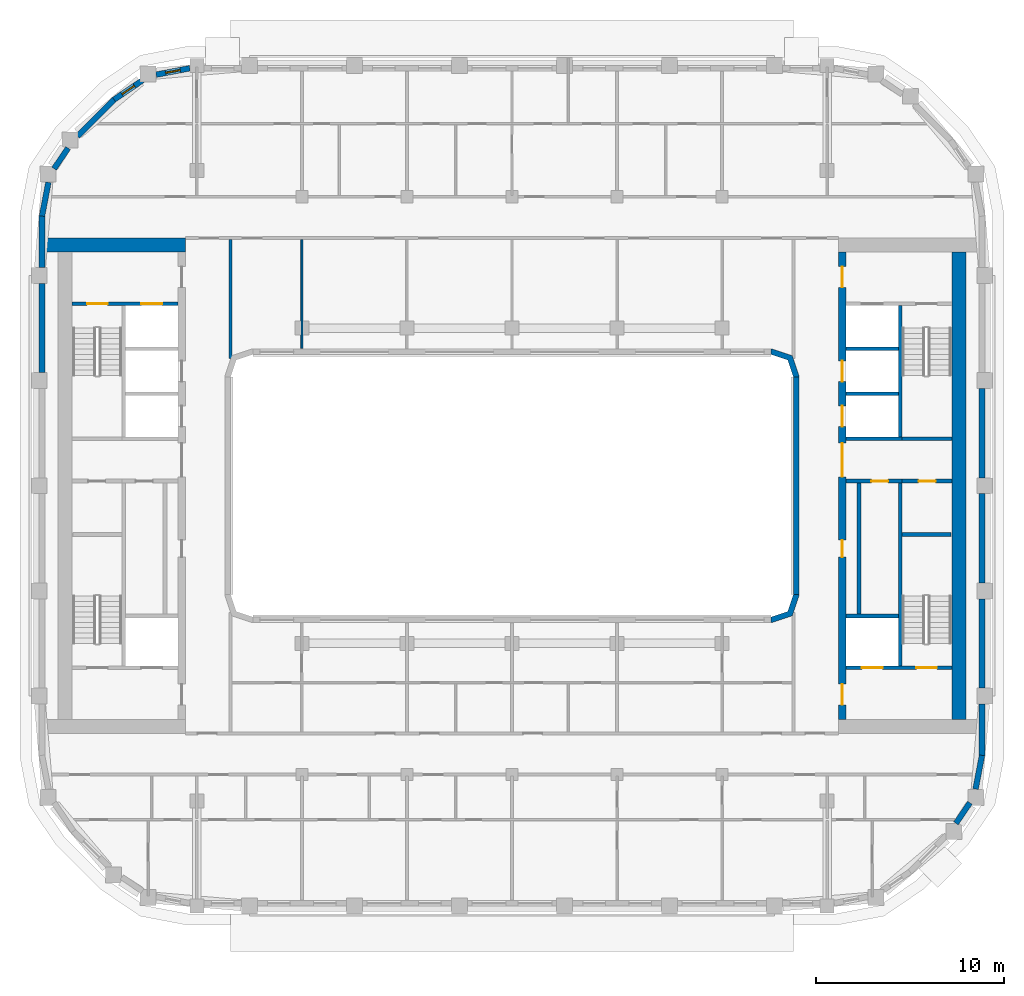
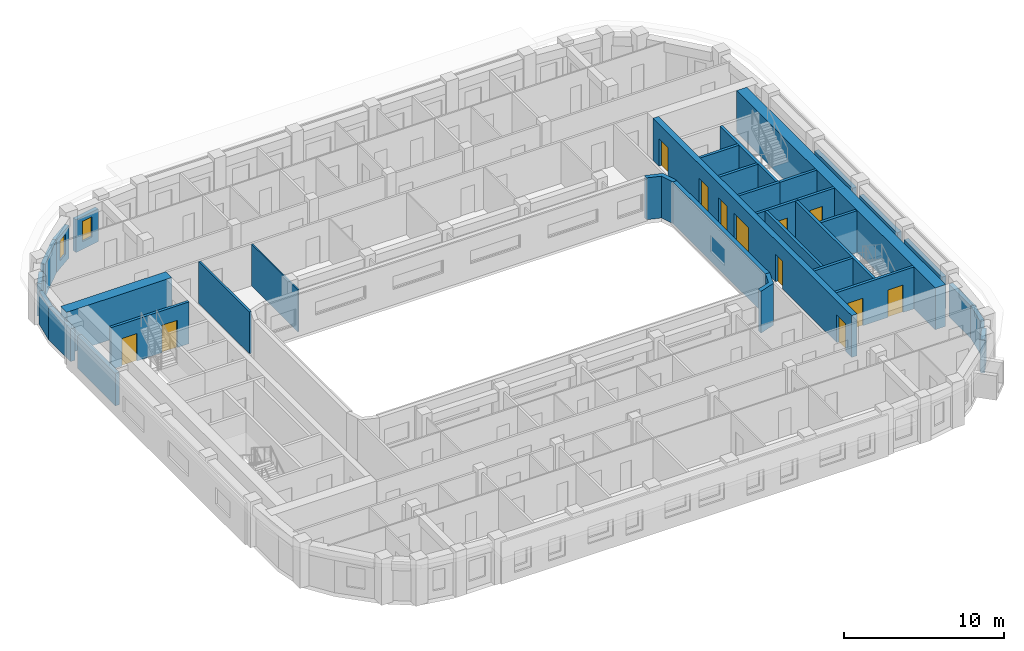
# One storey, part 6 of 21: 34 walls, 12 doors, 2 windows, 14 openings.
"""IFC4 building model written with IfcOpenShell, lengths in metres."""

from ifc_helpers import new_model, si_unit, direction, frame, frame_2d, origin, place, context, subcontext, project, spatial, polyline, rectangle, outline, extrude, material, layer, layer_set, type_object, element, fill, save


model = new_model("IFC4")

# Units and contexts
model_context = context("Model", 3, precision=1e-05, world=origin(), true_north=direction((0.0, 1.0)))
body_context = subcontext(model_context, "Body", "Model", "MODEL_VIEW")
ifc_project = project(units=[si_unit("LENGTHUNIT", "METRE"), si_unit("AREAUNIT", "SQUARE_METRE"), si_unit("VOLUMEUNIT", "CUBIC_METRE"), si_unit("PLANEANGLEUNIT", "RADIAN"), si_unit("MASSUNIT", "GRAM", prefix="KILO")], contexts=[model_context])

# Site, building, storey
site_placement = place(None, origin())
site = spatial("IfcSite", under=ifc_project, at=site_placement, CompositionType="ELEMENT")
building_placement = place(site_placement, origin())
building = spatial("IfcBuilding", under=site, at=building_placement, Name="Kiln Ring Residences", CompositionType="ELEMENT")
storey_placement = place(building_placement, frame((0.0, 0.0, 223.89990234375)))
storey = spatial("IfcBuildingStorey", under=building, at=storey_placement, Name="L58", CompositionType="ELEMENT", Elevation=223.89990234375)

# Wall, opening, door
ifc_material_1 = material(Name="Gypsum board on steel studs", Category="steel")
ifc_layer_1 = layer(ifc_material_1, 0.199951171875)
ifc_layer_set_1 = layer_set([ifc_layer_1], Name="CORE-PARTITION-200")
wall_type_1 = type_object("IfcWallType", Name="CORE-PARTITION-200", PredefinedType="PARTITIONING", material=ifc_layer_set_1)
wall_1_placement = place(storey_placement, frame((20.800048828125, 0.25, 0.0), z_axis=(0.0, 0.0, 1.0), x_axis=(1.0, 0.0, 0.0)))
wall_1 = element("IfcWall", 1, at=wall_1_placement, inside=storey, type_object=wall_type_1, Name="Core partition east L58 1", PredefinedType="PARTITIONING", context=body_context, shape_type="SweptSolid", body=[
    extrude(rectangle(XDim=2.64990234375, YDim=0.199951171875, at=frame_2d((1.324951171875, 0.0))), origin(), (0.0, 0.0, 1.0), 3.2001953125),
])
opening_1_placement = place(wall_1_placement, frame((0.875, 0.0, 0.0)))
opening_1 = element("IfcOpeningElement", 2, at=opening_1_placement, cuts=wall_1, Name="Opening L58-CE12", PredefinedType="OPENING", context=body_context, shape_type="SweptSolid", body=[
    extrude(rectangle(XDim=0.89990234375, YDim=2.10009765625, at=frame_2d((0.449951171875, 1.050048828125))), frame((0.0, 0.10986328125, 0.0), z_axis=(0.0, -1.0, 0.0), x_axis=(1.0, 0.0, 0.0)), (0.0, 0.0, 1.0), 0.219970703125),
])
ifc_material_2 = material(Name="Steel door leaf", Category="steel")
door_type_1 = type_object("IfcDoorType", Name="CORE-DOOR-ROOM", OperationType="SINGLE_SWING_LEFT", PredefinedType="DOOR", material=ifc_material_2)
door_1_placement = place(opening_1_placement, origin())
door_1 = element("IfcDoor", 3, at=door_1_placement, inside=storey, type_object=door_type_1, Name="Housekeeping store L58-CE12", OperationType="SINGLE_SWING_LEFT", OverallHeight=2.10009765625, OverallWidth=0.89990234375, PredefinedType="DOOR", context=body_context, shape_type="SweptSolid", body=[
    extrude(rectangle(XDim=0.89990234375, YDim=2.10009765625, at=frame_2d((0.449951171875, 1.050048828125))), frame((0.0, 0.02490234375, 0.0), z_axis=(0.0, -1.0, 0.0), x_axis=(1.0, 0.0, 0.0)), (0.0, 0.0, 1.0), 0.050048828125),
])
fill(opening_1, door_1)

# Walls
wall_2_placement = place(storey_placement, frame((18.5, -6.85009765625, 0.0), z_axis=(0.0, 0.0, 1.0), x_axis=(0.0, 1.0, 0.0)))
element("IfcWall", 4, at=wall_2_placement, inside=storey, type_object=wall_type_1, Name="Core partition east L58 2", PredefinedType="PARTITIONING", context=body_context, shape_type="SweptSolid", body=[
    extrude(rectangle(XDim=7.0, YDim=0.199951171875, at=frame_2d((3.5, 0.0))), origin(), (0.0, 0.0, 1.0), 3.2001953125),
])
ifc_material_3 = material(Name="Gypsum shaft wall system")
ifc_layer_2 = layer(ifc_material_3, 0.199951171875)
ifc_layer_set_2 = layer_set([ifc_layer_2], Name="CORE-SHAFT-WALL-200")
wall_type_2 = type_object("IfcWallType", Name="CORE-SHAFT-WALL-200", PredefinedType="PARTITIONING", material=ifc_layer_set_2)
wall_3_placement = place(storey_placement, frame((17.800048828125, -6.949951171875, 0.0), z_axis=(0.0, 0.0, 1.0), x_axis=(1.0, 0.0, 0.0)))
element("IfcWall", 5, at=wall_3_placement, inside=storey, type_object=wall_type_2, Name="Core partition east L58 3", PredefinedType="PARTITIONING", context=body_context, shape_type="SweptSolid", body=[
    extrude(rectangle(XDim=2.800048828125, YDim=0.199951171875, at=frame_2d((1.39990234375, 0.0))), origin(), (0.0, 0.0, 1.0), 3.2001953125),
])

# Wall, opening, door
wall_4_placement = place(storey_placement, frame((17.800048828125, 0.25, 0.0), z_axis=(0.0, 0.0, 1.0), x_axis=(1.0, 0.0, 0.0)))
wall_4 = element("IfcWall", 6, at=wall_4_placement, inside=storey, type_object=wall_type_2, Name="Core partition east L58 4", PredefinedType="PARTITIONING", context=body_context, shape_type="SweptSolid", body=[
    extrude(rectangle(XDim=3.0, YDim=0.199951171875, at=frame_2d((1.5, 0.0))), origin(), (0.0, 0.0, 1.0), 3.2001953125),
])
opening_2_placement = place(wall_4_placement, frame((1.35009765625, 0.0, 0.0)))
opening_2 = element("IfcOpeningElement", 7, at=opening_2_placement, cuts=wall_4, Name="Opening L58-CE03", PredefinedType="OPENING", context=body_context, shape_type="SweptSolid", body=[
    extrude(rectangle(XDim=0.89990234375, YDim=2.10009765625, at=frame_2d((0.449951171875, 1.050048828125))), frame((0.0, 0.10986328125, 0.0), z_axis=(0.0, -1.0, 0.0), x_axis=(1.0, 0.0, 0.0)), (0.0, 0.0, 1.0), 0.219970703125),
])
door_2_placement = place(opening_2_placement, origin())
door_2 = element("IfcDoor", 8, at=door_2_placement, inside=storey, type_object=door_type_1, Name="Goods store L58-CE03", OperationType="SINGLE_SWING_RIGHT", OverallHeight=2.10009765625, OverallWidth=0.89990234375, PredefinedType="DOOR", context=body_context, shape_type="SweptSolid", body=[
    extrude(rectangle(XDim=0.89990234375, YDim=2.10009765625, at=frame_2d((0.449951171875, 1.050048828125))), frame((0.0, 0.02490234375, 0.0), z_axis=(0.0, -1.0, 0.0), x_axis=(1.0, 0.0, 0.0)), (0.0, 0.0, 1.0), 0.050048828125),
])
fill(opening_2, door_2)

# Walls
wall_5_placement = place(storey_placement, frame((17.800048828125, 2.5, 0.0), z_axis=(0.0, 0.0, 1.0), x_axis=(1.0, 0.0, 0.0)))
element("IfcWall", 9, at=wall_5_placement, inside=storey, type_object=wall_type_2, Name="Core partition east L58 5", PredefinedType="PARTITIONING", context=body_context, shape_type="SweptSolid", body=[
    extrude(rectangle(XDim=3.0, YDim=0.199951171875, at=frame_2d((1.5, 0.0))), origin(), (0.0, 0.0, 1.0), 3.2001953125),
])
for number, where, z_axis, x_axis, name in (
    (10, (17.800048828125, 4.89990234375, 0.0), (0.0, 0.0, 1.0), (1.0, 0.0, 0.0), "Core partition east L58 6"),
    (11, (17.800048828125, 7.300048828125, 0.0), (0.0, 0.0, 1.0), (1.0, 0.0, 0.0), "Core partition east L58 7"),
):
    element("IfcWall", number, at=place(storey_placement, frame(where, z_axis=z_axis, x_axis=x_axis)), inside=storey, type_object=wall_type_2, Name=name, PredefinedType="PARTITIONING", context=body_context, shape_type="SweptSolid", body=[
        extrude(rectangle(XDim=2.800048828125, YDim=0.199951171875, at=frame_2d((1.39990234375, 0.0))), origin(), (0.0, 0.0, 1.0), 3.2001953125),
    ])

# Wall, openings, doors
ifc_material_4 = material(Name="Concrete C40/50", Category="concrete")
ifc_layer_3 = layer(ifc_material_4, 0.199951171875)
ifc_layer_set_3 = layer_set([ifc_layer_3], Name="CORE-WALL-RC200")
wall_type_3 = type_object("IfcWallType", Name="CORE-WALL-RC200", PredefinedType="SHEAR", material=ifc_layer_set_3)
wall_6_placement = place(storey_placement, frame((-17.800048828125, 9.699951171875, 0.0), z_axis=(0.0, 0.0, 1.0), x_axis=(-1.0, 0.0, 0.0)))
wall_6 = element("IfcWall", 12, at=wall_6_placement, inside=storey, type_object=wall_type_3, Name="Core wall west L58 9", PredefinedType="SHEAR", context=body_context, shape_type="SweptSolid", body=[
    extrude(rectangle(XDim=5.64990234375, YDim=0.199951171875, at=frame_2d((2.824951171875, 0.0))), origin(), (0.0, 0.0, 1.0), 3.2001953125),
])
opening_3_placement = place(wall_6_placement, frame((0.85009765625, 0.0, 0.0)))
opening_3 = element("IfcOpeningElement", 13, at=opening_3_placement, cuts=wall_6, Name="Opening L58-CW06", PredefinedType="OPENING", context=body_context, shape_type="SweptSolid", body=[
    extrude(rectangle(XDim=1.10009765625, YDim=2.10009765625, at=frame_2d((0.550048828125, 1.050048828125))), frame((0.0, 0.10986328125, 0.0), z_axis=(0.0, -1.0, 0.0), x_axis=(1.0, 0.0, 0.0)), (0.0, 0.0, 1.0), 0.219970703125),
])
opening_4_placement = place(wall_6_placement, frame((3.75, 0.0, 0.0)))
opening_4 = element("IfcOpeningElement", 14, at=opening_4_placement, cuts=wall_6, Name="Opening L58-CW09", PredefinedType="OPENING", context=body_context, shape_type="SweptSolid", body=[
    extrude(rectangle(XDim=1.10009765625, YDim=2.10009765625, at=frame_2d((0.550048828125, 1.050048828125))), frame((0.0, 0.10986328125, 0.0), z_axis=(0.0, -1.0, 0.0), x_axis=(1.0, 0.0, 0.0)), (0.0, 0.0, 1.0), 0.219970703125),
])
ifc_material_5 = material(Name="Steel door leaf", Category="steel")
door_type_2 = type_object("IfcDoorType", Name="CORE-DOOR-LD", OperationType="DOUBLE_DOOR_SLIDING", PredefinedType="DOOR", material=ifc_material_5)
door_3_placement = place(opening_3_placement, origin())
door_3 = element("IfcDoor", 15, at=door_3_placement, inside=storey, type_object=door_type_2, Name="LD W-FF L58-CW06", OperationType="DOUBLE_DOOR_SLIDING", OverallHeight=2.10009765625, OverallWidth=1.10009765625, PredefinedType="DOOR", context=body_context, shape_type="SweptSolid", body=[
    extrude(rectangle(XDim=1.10009765625, YDim=2.10009765625, at=frame_2d((0.550048828125, 1.050048828125))), frame((0.0, 0.02490234375, 0.0), z_axis=(0.0, -1.0, 0.0), x_axis=(1.0, 0.0, 0.0)), (0.0, 0.0, 1.0), 0.050048828125),
])
fill(opening_3, door_3)
ifc_material_6 = material(Name="Steel door leaf", Category="steel")
door_type_3 = type_object("IfcDoorType", Name="CORE-DOOR-STAIR", OperationType="SINGLE_SWING_LEFT", PredefinedType="DOOR", material=ifc_material_6)
door_4_placement = place(opening_4_placement, origin())
door_4 = element("IfcDoor", 16, at=door_4_placement, inside=storey, type_object=door_type_3, Name="Stair W-STN L58-CW09", OperationType="SINGLE_SWING_LEFT", OverallHeight=2.10009765625, OverallWidth=1.10009765625, PredefinedType="DOOR", context=body_context, shape_type="SweptSolid", body=[
    extrude(rectangle(XDim=1.10009765625, YDim=2.10009765625, at=frame_2d((0.550048828125, 1.050048828125))), frame((0.0, 0.02490234375, 0.0), z_axis=(0.0, -1.0, 0.0), x_axis=(1.0, 0.0, 0.0)), (0.0, 0.0, 1.0), 0.050048828125),
])
fill(opening_4, door_4)

# Walls
wall_7_placement = place(storey_placement, frame((20.699951171875, 2.60009765625, 0.0), z_axis=(0.0, 0.0, 1.0), x_axis=(0.0, 1.0, 0.0)))
element("IfcWall", 17, at=wall_7_placement, inside=storey, type_object=wall_type_3, Name="Core wall east L58 1", PredefinedType="SHEAR", context=body_context, shape_type="SweptSolid", body=[
    extrude(rectangle(XDim=7.0, YDim=0.199951171875, at=frame_2d((3.5, 0.0))), origin(), (0.0, 0.0, 1.0), 3.2001953125),
])
wall_8_placement = place(storey_placement, frame((20.699951171875, -9.60009765625, 0.0), z_axis=(0.0, 0.0, 1.0), x_axis=(0.0, 1.0, 0.0)))
element("IfcWall", 18, at=wall_8_placement, inside=storey, type_object=wall_type_3, Name="Core wall east L58 2", PredefinedType="SHEAR", context=body_context, shape_type="SweptSolid", body=[
    extrude(rectangle(XDim=9.75, YDim=0.199951171875, at=frame_2d((4.875, 0.0))), origin(), (0.0, 0.0, 1.0), 3.2001953125),
])
wall_9_placement = place(storey_placement, frame((20.800048828125, 2.5, 0.0), z_axis=(0.0, 0.0, 1.0), x_axis=(1.0, 0.0, 0.0)))
element("IfcWall", 19, at=wall_9_placement, inside=storey, type_object=wall_type_3, Name="Core wall east L58 3", PredefinedType="SHEAR", context=body_context, shape_type="SweptSolid", body=[
    extrude(rectangle(XDim=2.64990234375, YDim=0.199951171875, at=frame_2d((1.324951171875, 0.0))), origin(), (0.0, 0.0, 1.0), 3.2001953125),
])

# Wall, openings, doors
wall_10_placement = place(storey_placement, frame((17.800048828125, -9.699951171875, 0.0), z_axis=(0.0, 0.0, 1.0), x_axis=(1.0, 0.0, 0.0)))
wall_10 = element("IfcWall", 20, at=wall_10_placement, inside=storey, type_object=wall_type_3, Name="Core wall east L58 8", PredefinedType="SHEAR", context=body_context, shape_type="SweptSolid", body=[
    extrude(rectangle(XDim=5.64990234375, YDim=0.199951171875, at=frame_2d((2.824951171875, 0.0))), origin(), (0.0, 0.0, 1.0), 3.2001953125),
])
opening_5_placement = place(wall_10_placement, frame((0.85009765625, 0.0, 0.0)))
opening_5 = element("IfcOpeningElement", 21, at=opening_5_placement, cuts=wall_10, Name="Opening L58-CE01", PredefinedType="OPENING", context=body_context, shape_type="SweptSolid", body=[
    extrude(rectangle(XDim=1.10009765625, YDim=2.10009765625, at=frame_2d((0.550048828125, 1.050048828125))), frame((0.0, 0.10986328125, 0.0), z_axis=(0.0, -1.0, 0.0), x_axis=(1.0, 0.0, 0.0)), (0.0, 0.0, 1.0), 0.219970703125),
])
opening_6_placement = place(wall_10_placement, frame((3.75, 0.0, 0.0)))
opening_6 = element("IfcOpeningElement", 22, at=opening_6_placement, cuts=wall_10, Name="Opening L58-CE10", PredefinedType="OPENING", context=body_context, shape_type="SweptSolid", body=[
    extrude(rectangle(XDim=1.10009765625, YDim=2.10009765625, at=frame_2d((0.550048828125, 1.050048828125))), frame((0.0, 0.10986328125, 0.0), z_axis=(0.0, -1.0, 0.0), x_axis=(1.0, 0.0, 0.0)), (0.0, 0.0, 1.0), 0.219970703125),
])
door_5_placement = place(opening_5_placement, origin())
door_5 = element("IfcDoor", 23, at=door_5_placement, inside=storey, type_object=door_type_2, Name="LD E-SV L58-CE01", OperationType="DOUBLE_DOOR_SLIDING", OverallHeight=2.10009765625, OverallWidth=1.10009765625, PredefinedType="DOOR", context=body_context, shape_type="SweptSolid", body=[
    extrude(rectangle(XDim=1.10009765625, YDim=2.10009765625, at=frame_2d((0.550048828125, 1.050048828125))), frame((0.0, 0.02490234375, 0.0), z_axis=(0.0, -1.0, 0.0), x_axis=(1.0, 0.0, 0.0)), (0.0, 0.0, 1.0), 0.050048828125),
])
fill(opening_5, door_5)
door_6_placement = place(opening_6_placement, origin())
door_6 = element("IfcDoor", 24, at=door_6_placement, inside=storey, type_object=door_type_3, Name="Stair E-STS L58-CE10", OperationType="SINGLE_SWING_RIGHT", OverallHeight=2.10009765625, OverallWidth=1.10009765625, PredefinedType="DOOR", context=body_context, shape_type="SweptSolid", body=[
    extrude(rectangle(XDim=1.10009765625, YDim=2.10009765625, at=frame_2d((0.550048828125, 1.050048828125))), frame((0.0, 0.02490234375, 0.0), z_axis=(0.0, -1.0, 0.0), x_axis=(1.0, 0.0, 0.0)), (0.0, 0.0, 1.0), 0.050048828125),
])
fill(opening_6, door_6)

# Wall
wall_11_placement = place(storey_placement, frame((20.800048828125, -2.60009765625, 0.0), z_axis=(0.0, 0.0, 1.0), x_axis=(1.0, 0.0, 0.0)))
element("IfcWall", 25, at=wall_11_placement, inside=storey, type_object=wall_type_3, Name="Core wall east L58 10", PredefinedType="SHEAR", context=body_context, shape_type="SweptSolid", body=[
    extrude(rectangle(XDim=2.599853515625, YDim=0.199951171875, at=frame_2d((1.2998046875, 0.0))), origin(), (0.0, 0.0, 1.0), 3.2001953125),
])

# Wall, openings, doors
ifc_material_7 = material(Name="Concrete C60/75", Category="concrete")
ifc_layer_4 = layer(ifc_material_7, 0.39990234375)
ifc_layer_set_4 = layer_set([ifc_layer_4], Name="CORE-WALL-RC400")
wall_type_4 = type_object("IfcWallType", Name="CORE-WALL-RC400", PredefinedType="SHEAR", material=ifc_layer_set_4)
wall_12_placement = place(storey_placement, frame((17.60009765625, -12.449951171875, 0.0), z_axis=(0.0, 0.0, 1.0), x_axis=(0.0, 1.0, 0.0)))
wall_12 = element("IfcWall", 26, at=wall_12_placement, inside=storey, type_object=wall_type_4, Name="Core wall east L58 6", PredefinedType="SHEAR", context=body_context, shape_type="SweptSolid", body=[
    extrude(rectangle(XDim=24.89990234375, YDim=0.39990234375, at=frame_2d((12.449951171875, 0.0))), origin(), (0.0, 0.0, 1.0), 3.2001953125),
])
opening_7_placement = place(wall_12_placement, frame((8.64990234375, 0.0, 0.0)))
opening_7 = element("IfcOpeningElement", 27, at=opening_7_placement, cuts=wall_12, Name="Opening L58-CE02", PredefinedType="OPENING", context=body_context, shape_type="SweptSolid", body=[
    extrude(rectangle(XDim=0.89990234375, YDim=2.10009765625, at=frame_2d((0.449951171875, 1.050048828125))), frame((0.0, 0.2099609375, 0.0), z_axis=(0.0, -1.0, 0.0), x_axis=(1.0, 0.0, 0.0)), (0.0, 0.0, 1.0), 0.419921875),
])
opening_8_placement = place(wall_12_placement, frame((15.60009765625, 0.0, 0.0)))
opening_8 = element("IfcOpeningElement", 28, at=opening_8_placement, cuts=wall_12, Name="Opening L58-CE04", PredefinedType="OPENING", context=body_context, shape_type="SweptSolid", body=[
    extrude(rectangle(XDim=1.10009765625, YDim=2.10009765625, at=frame_2d((0.550048828125, 1.050048828125))), frame((0.0, 0.2099609375, 0.0), z_axis=(0.0, -1.0, 0.0), x_axis=(1.0, 0.0, 0.0)), (0.0, 0.0, 1.0), 0.419921875),
])
opening_9_placement = place(wall_12_placement, frame((18.0, 0.0, 0.0)))
opening_9 = element("IfcOpeningElement", 29, at=opening_9_placement, cuts=wall_12, Name="Opening L58-CE05", PredefinedType="OPENING", context=body_context, shape_type="SweptSolid", body=[
    extrude(rectangle(XDim=1.10009765625, YDim=2.10009765625, at=frame_2d((0.550048828125, 1.050048828125))), frame((0.0, 0.2099609375, 0.0), z_axis=(0.0, -1.0, 0.0), x_axis=(1.0, 0.0, 0.0)), (0.0, 0.0, 1.0), 0.419921875),
])
opening_10_placement = place(wall_12_placement, frame((23.02490234375, 0.0, 0.0)))
opening_10 = element("IfcOpeningElement", 30, at=opening_10_placement, cuts=wall_12, Name="Opening L58-CE07", PredefinedType="OPENING", context=body_context, shape_type="SweptSolid", body=[
    extrude(rectangle(XDim=1.10009765625, YDim=2.10009765625, at=frame_2d((0.550048828125, 1.050048828125))), frame((0.0, 0.2099609375, 0.0), z_axis=(0.0, -1.0, 0.0), x_axis=(1.0, 0.0, 0.0)), (0.0, 0.0, 1.0), 0.419921875),
])
opening_11_placement = place(wall_12_placement, frame((0.77490234375, 0.0, 0.0)))
opening_11 = element("IfcOpeningElement", 31, at=opening_11_placement, cuts=wall_12, Name="Opening L58-CE08", PredefinedType="OPENING", context=body_context, shape_type="SweptSolid", body=[
    extrude(rectangle(XDim=1.10009765625, YDim=2.10009765625, at=frame_2d((0.550048828125, 1.050048828125))), frame((0.0, 0.2099609375, 0.0), z_axis=(0.0, -1.0, 0.0), x_axis=(1.0, 0.0, 0.0)), (0.0, 0.0, 1.0), 0.419921875),
])
opening_12_placement = place(wall_12_placement, frame((12.925048828125, 0.0, 0.0)))
opening_12 = element("IfcOpeningElement", 32, at=opening_12_placement, cuts=wall_12, Name="Opening L58-CE11", PredefinedType="OPENING", context=body_context, shape_type="SweptSolid", body=[
    extrude(rectangle(XDim=1.800048828125, YDim=2.10009765625, at=frame_2d((0.89990234375, 1.050048828125))), frame((0.0, 0.2099609375, 0.0), z_axis=(0.0, -1.0, 0.0), x_axis=(1.0, 0.0, 0.0)), (0.0, 0.0, 1.0), 0.419921875),
])
door_7_placement = place(opening_8_placement, origin())
door_7 = element("IfcDoor", 33, at=door_7_placement, inside=storey, type_object=door_type_2, Name="LD E-M1 L58-CE04", OperationType="DOUBLE_DOOR_SLIDING", OverallHeight=2.10009765625, OverallWidth=1.10009765625, PredefinedType="DOOR", context=body_context, shape_type="SweptSolid", body=[
    extrude(rectangle(XDim=1.10009765625, YDim=2.10009765625, at=frame_2d((0.550048828125, 1.050048828125))), frame((0.0, 0.02490234375, 0.0), z_axis=(0.0, -1.0, 0.0), x_axis=(1.0, 0.0, 0.0)), (0.0, 0.0, 1.0), 0.050048828125),
])
fill(opening_8, door_7)
door_8_placement = place(opening_9_placement, origin())
door_8 = element("IfcDoor", 34, at=door_8_placement, inside=storey, type_object=door_type_2, Name="LD E-M2 L58-CE05", OperationType="DOUBLE_DOOR_SLIDING", OverallHeight=2.10009765625, OverallWidth=1.10009765625, PredefinedType="DOOR", context=body_context, shape_type="SweptSolid", body=[
    extrude(rectangle(XDim=1.10009765625, YDim=2.10009765625, at=frame_2d((0.550048828125, 1.050048828125))), frame((0.0, 0.02490234375, 0.0), z_axis=(0.0, -1.0, 0.0), x_axis=(1.0, 0.0, 0.0)), (0.0, 0.0, 1.0), 0.050048828125),
])
fill(opening_9, door_8)
ifc_material_8 = material(Name="Steel door leaf", Category="steel")
door_type_4 = type_object("IfcDoorType", Name="CORE-DOOR-LOBBY", OperationType="SINGLE_SWING_LEFT", PredefinedType="DOOR", material=ifc_material_8)
door_9_placement = place(opening_10_placement, origin())
door_9 = element("IfcDoor", 35, at=door_9_placement, inside=storey, type_object=door_type_4, Name="FFL L58-CE07", OperationType="SINGLE_SWING_LEFT", OverallHeight=2.10009765625, OverallWidth=1.10009765625, PredefinedType="DOOR", context=body_context, shape_type="SweptSolid", body=[
    extrude(rectangle(XDim=1.10009765625, YDim=2.10009765625, at=frame_2d((0.550048828125, 1.050048828125))), frame((0.0, 0.02490234375, 0.0), z_axis=(0.0, -1.0, 0.0), x_axis=(1.0, 0.0, 0.0)), (0.0, 0.0, 1.0), 0.050048828125),
])
fill(opening_10, door_9)
door_10_placement = place(opening_11_placement, origin())
door_10 = element("IfcDoor", 36, at=door_10_placement, inside=storey, type_object=door_type_4, Name="SVL L58-CE08", OperationType="SINGLE_SWING_RIGHT", OverallHeight=2.10009765625, OverallWidth=1.10009765625, PredefinedType="DOOR", context=body_context, shape_type="SweptSolid", body=[
    extrude(rectangle(XDim=1.10009765625, YDim=2.10009765625, at=frame_2d((0.550048828125, 1.050048828125))), frame((0.0, 0.02490234375, 0.0), z_axis=(0.0, -1.0, 0.0), x_axis=(1.0, 0.0, 0.0)), (0.0, 0.0, 1.0), 0.050048828125),
])
fill(opening_11, door_10)
ifc_material_9 = material(Name="Steel door leaf", Category="steel")
door_type_5 = type_object("IfcDoorType", Name="CORE-DOOR-PASS", OperationType="DOUBLE_DOOR_SINGLE_SWING", PredefinedType="DOOR", material=ifc_material_9)
door_11_placement = place(opening_12_placement, origin())
door_11 = element("IfcDoor", 37, at=door_11_placement, inside=storey, type_object=door_type_5, Name="Core passage L58-CE11", OperationType="DOUBLE_DOOR_SINGLE_SWING", OverallHeight=2.10009765625, OverallWidth=1.800048828125, PredefinedType="DOOR", context=body_context, shape_type="SweptSolid", body=[
    extrude(rectangle(XDim=1.800048828125, YDim=2.10009765625, at=frame_2d((0.89990234375, 1.050048828125))), frame((0.0, 0.02490234375, 0.0), z_axis=(0.0, -1.0, 0.0), x_axis=(1.0, 0.0, 0.0)), (0.0, 0.0, 1.0), 0.050048828125),
])
fill(opening_12, door_11)
door_12_placement = place(opening_7_placement, origin())
door_12 = element("IfcDoor", 38, at=door_12_placement, inside=storey, type_object=door_type_1, Name="Cleaner's store L58-CE02", OperationType="SINGLE_SWING_LEFT", OverallHeight=2.10009765625, OverallWidth=0.89990234375, PredefinedType="DOOR", context=body_context, shape_type="SweptSolid", body=[
    extrude(rectangle(XDim=0.89990234375, YDim=2.10009765625, at=frame_2d((0.449951171875, 1.050048828125))), frame((0.0, 0.02490234375, 0.0), z_axis=(0.0, -1.0, 0.0), x_axis=(1.0, 0.0, 0.0)), (0.0, 0.0, 1.0), 0.050048828125),
])
fill(opening_7, door_12)

# Walls
ifc_material_10 = material(Name="Concrete C60/75", Category="concrete")
ifc_layer_5 = layer(ifc_material_10, 0.75)
ifc_layer_set_5 = layer_set([ifc_layer_5], Name="CORE-WALL-RC750")
wall_type_5 = type_object("IfcWallType", Name="CORE-WALL-RC750", PredefinedType="SHEAR", material=ifc_layer_set_5)
wall_13_placement = place(storey_placement, frame((-17.39990234375, 12.824951171875, 0.0), z_axis=(0.0, 0.0, 1.0), x_axis=(-1.0, 0.0, 0.0)))
element("IfcWall", 39, at=wall_13_placement, inside=storey, type_object=wall_type_5, Name="Core wall west L58 4", PredefinedType="SHEAR", context=body_context, shape_type="SweptSolid", body=[
    extrude(rectangle(XDim=7.60009765625, YDim=0.75, at=frame_2d((3.800048828125, 0.0))), origin(), (0.0, 0.0, 1.0), 3.2001953125),
])
wall_14_placement = place(storey_placement, frame((23.824951171875, -12.449951171875, 0.0), z_axis=(0.0, 0.0, 1.0), x_axis=(0.0, 1.0, 0.0)))
element("IfcWall", 40, at=wall_14_placement, inside=storey, type_object=wall_type_5, Name="Core wall east L58 7", PredefinedType="SHEAR", context=body_context, shape_type="SweptSolid", body=[
    extrude(rectangle(XDim=24.89990234375, YDim=0.75, at=frame_2d((12.449951171875, 0.0))), origin(), (0.0, 0.0, 1.0), 3.2001953125),
])
ifc_material_11 = material(Name="Brick masonry, dark clay brick", Category="masonry")
ifc_layer_6 = layer(ifc_material_11, 0.300048828125)
ifc_layer_set_6 = layer_set([ifc_layer_6], Name="EW-300 BRICK WALL")
wall_type_6 = type_object("IfcWallType", Name="EW-300 BRICK WALL", PredefinedType="SOLIDWALL", material=ifc_layer_set_6)
wall_15_placement = place(storey_placement, frame((23.662109375, -17.995849609375, 0.0), z_axis=(0.0, 0.0, 1.0), x_axis=(0.562149004813, 0.827035970432, 0.0)))
element("IfcWall", 41, at=wall_15_placement, inside=storey, type_object=wall_type_6, Name="Facade wall L58 14", PredefinedType="SOLIDWALL", context=body_context, shape_type="SweptSolid", body=[
    extrude(rectangle(XDim=1.3271484375, YDim=0.300048828125, at=frame_2d((0.66357421875, 0.0))), origin(), (0.0, 0.0, 1.0), 2.5),
])
wall_16_placement = place(storey_placement, frame((24.70947265625, -16.170654296875, 0.0), z_axis=(0.0, 0.0, 1.0), x_axis=(0.187442908742, 0.982275499014, 0.0)))
element("IfcWall", 42, at=wall_16_placement, inside=storey, type_object=wall_type_6, Name="Facade wall L58 15", PredefinedType="SOLIDWALL", context=body_context, shape_type="SweptSolid", body=[
    extrude(rectangle(XDim=1.831298828125, YDim=0.300048828125, at=frame_2d((0.91552734375, 0.0))), origin(), (0.0, 0.0, 1.0), 2.5),
])
wall_17_placement = place(storey_placement, frame((25.050048828125, -14.39990234375, 0.0), z_axis=(0.0, 0.0, 1.0), x_axis=(0.0, 1.0, 0.0)))
element("IfcWall", 43, at=wall_17_placement, inside=storey, type_object=wall_type_6, Name="Facade wall L58 16", PredefinedType="SOLIDWALL", context=body_context, shape_type="SweptSolid", body=[
    extrude(rectangle(XDim=2.77490234375, YDim=0.300048828125, at=frame_2d((1.387451171875, 0.0))), origin(), (0.0, 0.0, 1.0), 2.5),
])
for number, where, z_axis, x_axis, name in (
    (44, (25.050048828125, -10.77490234375, 0.0), (0.0, 0.0, 1.0), (0.0, 1.0, 0.0), "Facade wall L58 17"),
    (45, (25.050048828125, -5.175048828125, 0.0), (0.0, 0.0, 1.0), (0.0, 1.0, 0.0), "Facade wall L58 18"),
    (46, (25.050048828125, 0.425048828125, 0.0), (0.0, 0.0, 1.0), (0.0, 1.0, 0.0), "Facade wall L58 19"),
):
    element("IfcWall", number, at=place(storey_placement, frame(where, z_axis=z_axis, x_axis=x_axis)), inside=storey, type_object=wall_type_6, Name=name, PredefinedType="SOLIDWALL", context=body_context, shape_type="SweptSolid", body=[
        extrude(rectangle(XDim=4.75, YDim=0.300048828125, at=frame_2d((2.375, 0.0))), origin(), (0.0, 0.0, 1.0), 2.5),
    ])

# Wall, opening, window
wall_18_placement = place(storey_placement, frame((-17.171875, 22.252685546875, 0.0), z_axis=(0.0, 0.0, 1.0), x_axis=(-0.982300037503, -0.187314271538, 0.0)))
wall_18 = element("IfcWall", 47, at=wall_18_placement, inside=storey, type_object=wall_type_6, Name="Facade wall L58 34", PredefinedType="SOLIDWALL", context=body_context, shape_type="SweptSolid", body=[
    extrude(rectangle(XDim=1.831298828125, YDim=0.300048828125, at=frame_2d((0.91552734375, 0.0))), origin(), (0.0, 0.0, 1.0), 2.5),
])
opening_13_placement = place(wall_18_placement, frame((0.515625, 0.0, 0.60009765625)))
opening_13 = element("IfcOpeningElement", 48, at=opening_13_placement, cuts=wall_18, Name="Opening W5", PredefinedType="OPENING", context=body_context, shape_type="SweptSolid", body=[
    extrude(rectangle(XDim=0.800048828125, YDim=1.550048828125, at=frame_2d((0.39990234375, 0.77490234375))), frame((0.0, 0.159912109375, 0.0), z_axis=(0.0, -1.0, 0.0), x_axis=(1.0, 0.0, 0.0)), (0.0, 0.0, 1.0), 0.320068359375),
])
ifc_material_12 = material(Name="Aluminium frame with double glazing", Category="aluminium")
window_type = type_object("IfcWindowType", Name="WINDOW 800 x 1550", PartitioningType="SINGLE_PANEL", PredefinedType="WINDOW", material=ifc_material_12)
window_1_placement = place(opening_13_placement, origin())
window_1 = element("IfcWindow", 49, at=window_1_placement, inside=storey, type_object=window_type, Name="Window L58 32", OverallHeight=1.550048828125, OverallWidth=0.800048828125, PartitioningType="SINGLE_PANEL", PredefinedType="WINDOW", context=body_context, shape_type="SweptSolid", body=[
    extrude(rectangle(XDim=0.800048828125, YDim=1.550048828125, at=frame_2d((0.39990234375, 0.77490234375))), frame((0.0, 0.030029296875, 0.0), z_axis=(0.0, -1.0, 0.0), x_axis=(1.0, 0.0, 0.0)), (0.0, 0.0, 1.0), 0.06005859375),
])
fill(opening_13, window_1)

wall_19_placement = place(storey_placement, frame((-19.6982421875, 21.608154296875, 0.0), z_axis=(0.0, 0.0, 1.0), x_axis=(-0.82705295608, -0.562124014644, 0.0)))
wall_19 = element("IfcWall", 50, at=wall_19_placement, inside=storey, type_object=wall_type_6, Name="Facade wall L58 35", PredefinedType="SOLIDWALL", context=body_context, shape_type="SweptSolid", body=[
    extrude(rectangle(XDim=1.8310546875, YDim=0.300048828125, at=frame_2d((0.91552734375, 0.0))), origin(), (0.0, 0.0, 1.0), 2.5),
])
opening_14_placement = place(wall_19_placement, frame((0.515625, 0.0, 0.60009765625)))
opening_14 = element("IfcOpeningElement", 51, at=opening_14_placement, cuts=wall_19, Name="Opening W5", PredefinedType="OPENING", context=body_context, shape_type="SweptSolid", body=[
    extrude(rectangle(XDim=0.800048828125, YDim=1.550048828125, at=frame_2d((0.39990234375, 0.77490234375))), frame((0.0, 0.159912109375, 0.0), z_axis=(0.0, -1.0, 0.0), x_axis=(1.0, 0.0, 0.0)), (0.0, 0.0, 1.0), 0.320068359375),
])
window_2_placement = place(opening_14_placement, origin())
window_2 = element("IfcWindow", 52, at=window_2_placement, inside=storey, type_object=window_type, Name="Window L58 33", OverallHeight=1.550048828125, OverallWidth=0.800048828125, PartitioningType="SINGLE_PANEL", PredefinedType="WINDOW", context=body_context, shape_type="SweptSolid", body=[
    extrude(rectangle(XDim=0.800048828125, YDim=1.550048828125, at=frame_2d((0.39990234375, 0.77490234375))), frame((0.0, 0.030029296875, 0.0), z_axis=(0.0, -1.0, 0.0), x_axis=(1.0, 0.0, 0.0)), (0.0, 0.0, 1.0), 0.06005859375),
])
fill(opening_14, window_2)

# Walls
wall_20_placement = place(storey_placement, frame((-21.19091796875, 20.596923828125, 0.0), z_axis=(0.0, 0.0, 1.0), x_axis=(-0.707150767798, -0.707062791838, 0.0)))
element("IfcWall", 53, at=wall_20_placement, inside=storey, type_object=wall_type_6, Name="Facade wall L58 36", PredefinedType="SOLIDWALL", context=body_context, shape_type="SweptSolid", body=[
    extrude(rectangle(XDim=2.775146484375, YDim=0.300048828125, at=frame_2d((1.3876953125, 0.0))), origin(), (0.0, 0.0, 1.0), 2.5),
])
wall_21_placement = place(storey_placement, frame((-23.662109375, 17.995849609375, 0.0), z_axis=(0.0, 0.0, 1.0), x_axis=(-0.562149004813, -0.827035970432, 0.0)))
element("IfcWall", 54, at=wall_21_placement, inside=storey, type_object=wall_type_6, Name="Facade wall L58 37", PredefinedType="SOLIDWALL", context=body_context, shape_type="SweptSolid", body=[
    extrude(rectangle(XDim=1.3271484375, YDim=0.300048828125, at=frame_2d((0.66357421875, 0.0))), origin(), (0.0, 0.0, 1.0), 2.5),
])
wall_22_placement = place(storey_placement, frame((-24.70947265625, 16.170654296875, 0.0), z_axis=(0.0, 0.0, 1.0), x_axis=(-0.187442908742, -0.982275499014, 0.0)))
element("IfcWall", 55, at=wall_22_placement, inside=storey, type_object=wall_type_6, Name="Facade wall L58 38", PredefinedType="SOLIDWALL", context=body_context, shape_type="SweptSolid", body=[
    extrude(rectangle(XDim=1.831298828125, YDim=0.300048828125, at=frame_2d((0.91552734375, 0.0))), origin(), (0.0, 0.0, 1.0), 2.5),
])
wall_23_placement = place(storey_placement, frame((-25.050048828125, 14.39990234375, 0.0), z_axis=(0.0, 0.0, 1.0), x_axis=(0.0, -1.0, 0.0)))
element("IfcWall", 56, at=wall_23_placement, inside=storey, type_object=wall_type_6, Name="Facade wall L58 39", PredefinedType="SOLIDWALL", context=body_context, shape_type="SweptSolid", body=[
    extrude(rectangle(XDim=2.77490234375, YDim=0.300048828125, at=frame_2d((1.387451171875, 0.0))), origin(), (0.0, 0.0, 1.0), 2.5),
])
wall_24_placement = place(storey_placement, frame((-25.050048828125, 10.77490234375, 0.0), z_axis=(0.0, 0.0, 1.0), x_axis=(0.0, -1.0, 0.0)))
element("IfcWall", 57, at=wall_24_placement, inside=storey, type_object=wall_type_6, Name="Facade wall L58 40", PredefinedType="SOLIDWALL", context=body_context, shape_type="SweptSolid", body=[
    extrude(rectangle(XDim=4.75, YDim=0.300048828125, at=frame_2d((2.375, 0.0))), origin(), (0.0, 0.0, 1.0), 2.5),
])
wall_25_placement = place(storey_placement, frame((15.14990234375, 5.800048828125, 0.0), z_axis=(0.0, 0.0, 1.0), x_axis=(0.0, -1.0, 0.0)))
element("IfcWall", 58, at=wall_25_placement, inside=storey, type_object=wall_type_6, Name="Facade wall L58 49", PredefinedType="SOLIDWALL", context=body_context, shape_type="SweptSolid", body=[
    extrude(rectangle(XDim=11.60009765625, YDim=0.300048828125, at=frame_2d((5.800048828125, 0.0))), origin(), (0.0, 0.0, 1.0), 3.2001953125),
])
placement = place(storey_placement, origin())
element("IfcWall", 59, at=placement, inside=storey, type_object=wall_type_6, Name="Corner wall L58 2", PredefinedType="SOLIDWALL", context=body_context, shape_type="SweptSolid", body=[
    extrude(outline(polyline([(14.937255859375, 6.937255859375), (13.8486328125, 7.300048828125), (13.800048828125, 7.300048828125), (13.800048828125, 7.0), (14.699951171875, 6.699951171875), (15.0, 5.800048828125), (15.300048828125, 5.800048828125), (15.300048828125, 5.8486328125), (14.937255859375, 6.937255859375)])), origin(), (0.0, 0.0, 1.0), 3.2001953125),
])
element("IfcWall", 60, at=placement, inside=storey, type_object=wall_type_6, Name="Corner wall L58 3", PredefinedType="SOLIDWALL", context=body_context, shape_type="SweptSolid", body=[
    extrude(outline(polyline([(14.937255859375, -6.937255859375), (15.300048828125, -5.8486328125), (15.300048828125, -5.800048828125), (15.0, -5.800048828125), (14.699951171875, -6.699951171875), (13.800048828125, -7.0), (13.800048828125, -7.300048828125), (13.8486328125, -7.300048828125), (14.937255859375, -6.937255859375)])), origin(), (0.0, 0.0, 1.0), 3.2001953125),
])
ifc_material_13 = material(Name="Gypsum board on steel studs", Category="steel")
ifc_layer_7 = layer(ifc_material_13, 0.10009765625)
ifc_layer_set_7 = layer_set([ifc_layer_7], Name="PARTITION-100")
wall_type_7 = type_object("IfcWallType", Name="PARTITION-100", PredefinedType="PARTITIONING", material=ifc_layer_set_7)
wall_28_placement = place(storey_placement, frame((-11.199951171875, 7.320068359375, 0.0), z_axis=(0.0, 0.0, 1.0), x_axis=(0.0, 1.0, 0.0)))
element("IfcWall", 61, at=wall_28_placement, inside=storey, type_object=wall_type_7, Name="Partition 018", PredefinedType="PARTITIONING", context=body_context, shape_type="SweptSolid", body=[
    extrude(rectangle(XDim=5.804931640625, YDim=0.10009765625, at=frame_2d((2.90234375, 0.0))), origin(), (0.0, 0.0, 1.0), 3.2001953125),
])
ifc_material_14 = material(Name="Brick masonry partition", Category="masonry")
ifc_layer_8 = layer(ifc_material_14, 0.14990234375)
ifc_layer_set_8 = layer_set([ifc_layer_8], Name="PARTITION-150-ei60")
wall_type_8 = type_object("IfcWallType", Name="PARTITION-150-ei60", PredefinedType="PARTITIONING", material=ifc_layer_set_8)
wall_29_placement = place(storey_placement, frame((-15.0, 6.768798828125, 0.0), z_axis=(0.0, 0.0, 1.0), x_axis=(0.0, 1.0, 0.0)))
element("IfcWall", 62, at=wall_29_placement, inside=storey, type_object=wall_type_8, Name="Partition 014", PredefinedType="PARTITIONING", context=body_context, shape_type="SweptSolid", body=[
    extrude(rectangle(XDim=6.356201171875, YDim=0.14990234375, at=frame_2d((3.17822265625, 0.0))), origin(), (0.0, 0.0, 1.0), 3.2001953125),
])

save(model, "model.ifc")
